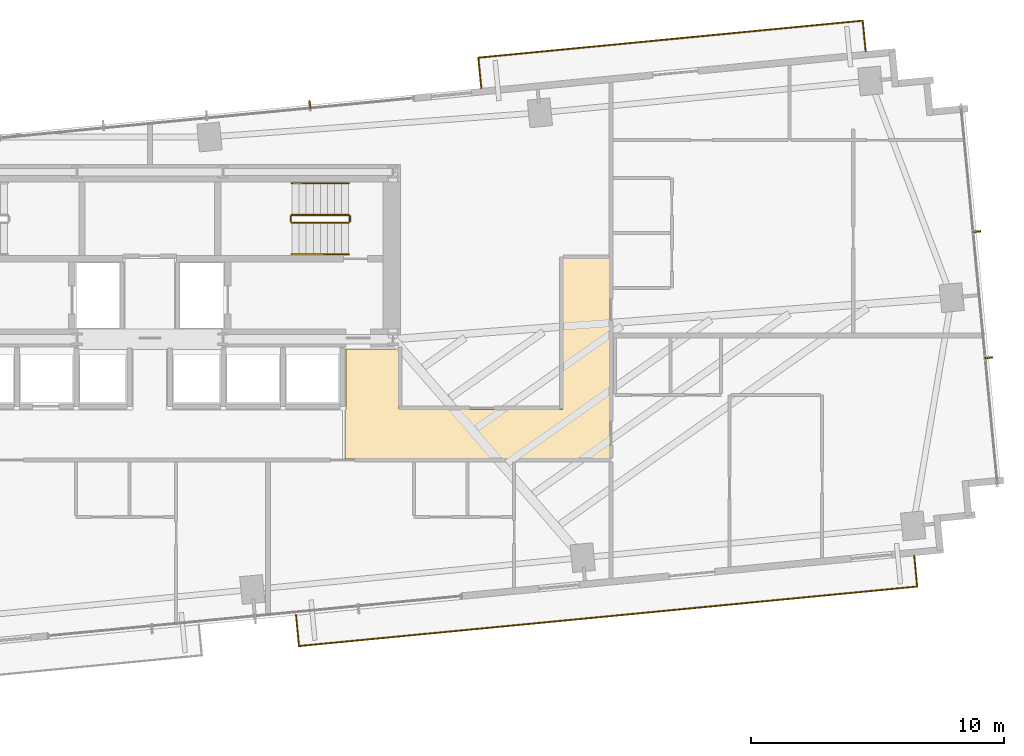
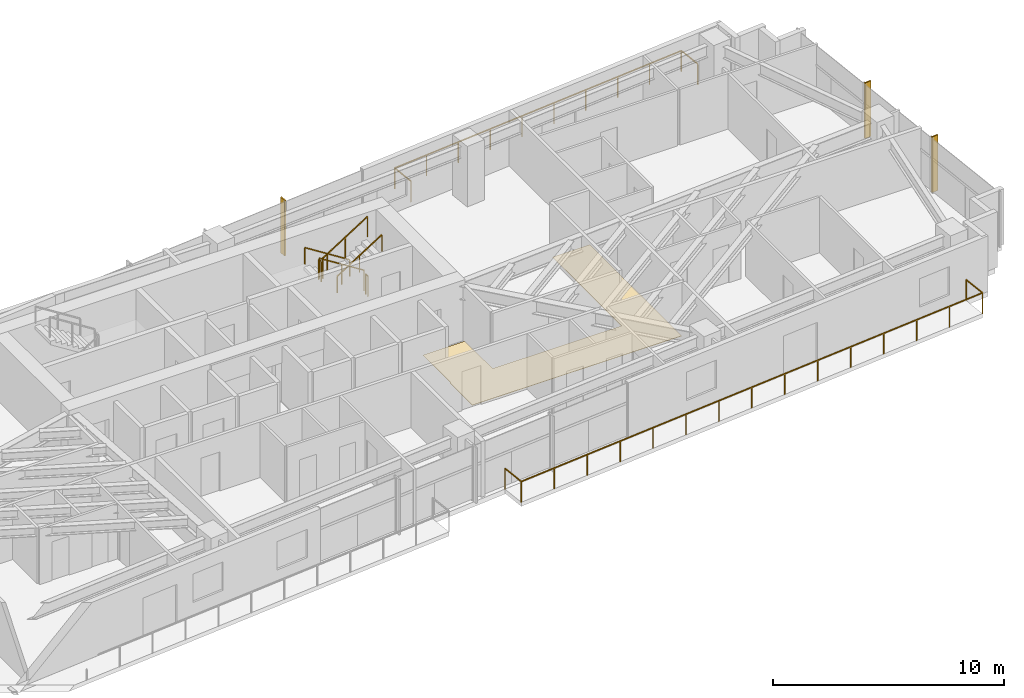
# One storey, part 27 of 27: 8 railings, 3 shading devices, 1 covering.
"""IFC4 building model written with IfcOpenShell, lengths in metres."""

import ifcopenshell
import ifcopenshell.guid

model = None  # the IFC model being written
_history = None  # IfcOwnerHistory: only IFC2X3 demands one
_inside = {}  # id of a spatial element -> (the spatial element, [elements in it])
_under = {}  # id of a project, library or spatial element -> (it, [spatial elements below it])
_declared = {}  # id of a project -> (the project, [libraries it declares])
_typed = {}  # id of a type object -> (the type object, [elements of that type])
_made_of = {}  # id of a material, layer set ... -> (it, [elements and type objects made of it])


def new_model(schema):
    """Start an empty IFC model of exactly this schema.

    Asked for "IFC4X3", IfcOpenShell would pick the latest addendum, in which some entities
    have other attributes; the version numbers below select the first issue.
    IFC2X3 requires an IfcOwnerHistory on every rooted entity: one is made here for all.
    """
    global model, _history
    if schema == "IFC4X3":
        model = ifcopenshell.file(schema_version=(4, 3, 0, 0))
    else:
        model = ifcopenshell.file(schema=schema)
    _inside.clear()
    _under.clear()
    _declared.clear()
    _typed.clear()
    _made_of.clear()
    _history = None
    if model.schema == "IFC2X3":
        org = make("IfcOrganization", Name="unknown")
        user = make(
            "IfcPersonAndOrganization",
            ThePerson=make("IfcPerson", FamilyName="unknown"),
            TheOrganization=org,
        )
        app = make(
            "IfcApplication",
            ApplicationDeveloper=org,
            Version="unknown",
            ApplicationFullName="unknown",
            ApplicationIdentifier="unknown",
        )
        _history = make(
            "IfcOwnerHistory",
            OwningUser=user,
            OwningApplication=app,
            ChangeAction="ADDED",
            CreationDate=0,
        )
    return model


def make(cls, **values):
    """One entity of the class cls with the attributes given. An attribute that is None is left unset."""
    return model.create_entity(
        cls, **{name: value for name, value in values.items() if value is not None}
    )


def rooted(cls, **values):
    """An entity with a GlobalId (a new one), such as an element, a storey or a relation."""
    return make(cls, GlobalId=ifcopenshell.guid.new(), OwnerHistory=_history, **values)


def si_unit(unit_type, name, prefix=None):
    """IfcSIUnit, for example si_unit("LENGTHUNIT", "METRE", prefix="MILLI")."""
    return make("IfcSIUnit", UnitType=unit_type, Prefix=prefix, Name=name)


def assignment(units):
    """IfcUnitAssignment: the units of a project."""
    return None if units is None else make("IfcUnitAssignment", Units=units)


def point(xyz):
    """IfcCartesianPoint."""
    return None if xyz is None else make("IfcCartesianPoint", Coordinates=xyz)


def direction(xyz):
    """IfcDirection."""
    return None if xyz is None else make("IfcDirection", DirectionRatios=xyz)


def frame(location, z_axis=None, x_axis=None):
    """IfcAxis2Placement3D, a coordinate frame: its origin and axes. An axis left out is left unset."""
    return make(
        "IfcAxis2Placement3D",
        Location=point(location),
        Axis=direction(z_axis),
        RefDirection=direction(x_axis),
    )


def frame_2d(location, x_axis=None):
    """IfcAxis2Placement2D, a coordinate frame in the plane: its origin and x axis."""
    return make(
        "IfcAxis2Placement2D", Location=point(location), RefDirection=direction(x_axis)
    )


def origin():
    """The frame at (0, 0, 0) with its axes left unset."""
    return frame((0.0, 0.0, 0.0))


def origin_2d():
    """The frame at (0, 0) in the plane with its x axis left unset."""
    return frame_2d((0.0, 0.0))


def place(relative_to, where):
    """IfcLocalPlacement: puts the frame where relative to a parent placement (None: the world)."""
    return make(
        "IfcLocalPlacement", PlacementRelTo=relative_to, RelativePlacement=where
    )


def context(
    kind, dimensions, precision=None, world=None, true_north=None, identifier=None
):
    """IfcGeometricRepresentationContext, for example the 3D "Model" context."""
    return make(
        "IfcGeometricRepresentationContext",
        ContextIdentifier=identifier,
        ContextType=kind,
        CoordinateSpaceDimension=dimensions,
        Precision=precision,
        WorldCoordinateSystem=world,
        TrueNorth=true_north,
    )


def subcontext(parent, identifier, kind, view, scale=None):
    """IfcGeometricRepresentationSubContext, for example "Body" below "Model"."""
    return make(
        "IfcGeometricRepresentationSubContext",
        ContextIdentifier=identifier,
        ContextType=kind,
        ParentContext=parent,
        TargetScale=scale,
        TargetView=view,
    )


def project(units=None, contexts=None):
    """IfcProject with its units and contexts."""
    return rooted(
        "IfcProject",
        Name="project",
        RepresentationContexts=contexts,
        UnitsInContext=assignment(units),
    )


def spatial(cls, under=None, at=None, **own):
    """A site, building, storey or space (cls), placed at a placement, below another one or the project."""
    s = rooted(cls, ObjectPlacement=at, **own)
    if under is not None:
        _under.setdefault(under.id(), (under, []))[1].append(s)
    return s


def polyline(points):
    """IfcPolyline through the points."""
    return make("IfcPolyline", Points=[point(p) for p in points])


def profile(cls, at=None, kind="AREA", **sizes):
    """A parametric profile (cls). Its sizes go by their IFC names, for example OverallWidth=200.0."""
    return make(cls, ProfileType=kind, Position=at, **sizes)


def rectangle(**sizes):
    """IfcRectangleProfileDef."""
    return profile("IfcRectangleProfileDef", **sizes)


def outline(outer, holes=None, kind="AREA"):
    """IfcArbitraryClosedProfileDef: a profile drawn as a closed curve; with holes, ...WithVoids."""
    if holes is None:
        return make("IfcArbitraryClosedProfileDef", ProfileType=kind, OuterCurve=outer)
    return make(
        "IfcArbitraryProfileDefWithVoids",
        ProfileType=kind,
        OuterCurve=outer,
        InnerCurves=holes,
    )


def extrude(swept, where, along, depth):
    """IfcExtrudedAreaSolid: the profile swept, set in the frame where, extruded along a direction by depth."""
    return make(
        "IfcExtrudedAreaSolid",
        SweptArea=swept,
        Position=where,
        ExtrudedDirection=direction(along),
        Depth=depth,
    )


def shape(context_of_items, identifier, shape_type, items):
    """IfcShapeRepresentation: the items that make up one representation, for example the "Body"."""
    return make(
        "IfcShapeRepresentation",
        ContextOfItems=context_of_items,
        RepresentationIdentifier=identifier,
        RepresentationType=shape_type,
        Items=items,
    )


def source(mapping_origin, context_of_items, identifier, shape_type, items):
    """IfcRepresentationMap: a shape defined once, which mapped items show again and again."""
    return make(
        "IfcRepresentationMap",
        MappingOrigin=mapping_origin,
        MappedRepresentation=shape(context_of_items, identifier, shape_type, items),
    )


def transform(
    local_origin,
    x_axis=None,
    y_axis=None,
    z_axis=None,
    scale=None,
    scale2=None,
    scale3=None,
    uniform=True,
):
    """IfcCartesianTransformationOperator3D, or its non-uniform kind. x_axis, y_axis, z_axis: its Axis1, 2, 3."""
    if uniform:
        return make(
            "IfcCartesianTransformationOperator3D",
            Axis1=direction(x_axis),
            Axis2=direction(y_axis),
            LocalOrigin=point(local_origin),
            Scale=scale,
            Axis3=direction(z_axis),
        )
    return make(
        "IfcCartesianTransformationOperator3DnonUniform",
        Axis1=direction(x_axis),
        Axis2=direction(y_axis),
        LocalOrigin=point(local_origin),
        Scale=scale,
        Axis3=direction(z_axis),
        Scale2=scale2,
        Scale3=scale3,
    )


def mapped(mapping_source, mapping_target):
    """IfcMappedItem: shows the shape of a source again, moved by a transform."""
    return make(
        "IfcMappedItem", MappingSource=mapping_source, MappingTarget=mapping_target
    )


def material(Name=None, Category=None):
    """IfcMaterial."""
    return make("IfcMaterial", Name=Name, Category=Category)


def layer(
    of_material, thickness, ventilated=None, Name=None, Category=None, Priority=None
):
    """IfcMaterialLayer: one layer of a wall or slab, of a material (None: an air gap)."""
    return make(
        "IfcMaterialLayer",
        Material=of_material,
        LayerThickness=thickness,
        IsVentilated=ventilated,
        Name=Name,
        Category=Category,
        Priority=Priority,
    )


def layer_set(layers, Name=None):
    """IfcMaterialLayerSet."""
    return make("IfcMaterialLayerSet", MaterialLayers=layers, LayerSetName=Name)


def made_of(thing, what):
    """Note that an element or type object is made of a material, layer set ...; save() writes the relation."""
    if what is not None:
        _made_of.setdefault(what.id(), (what, []))[1].append(thing)
    return thing


def type_object(cls, material=None, **own):
    """A type object (cls), such as IfcWallType, which elements share."""
    return made_of(rooted(cls, **own), material)


def type_shapes(of_type, sources):
    """Give a type object the sources (RepresentationMaps) that its elements show as mapped items."""
    of_type.RepresentationMaps = sources


def element(
    cls,
    number,
    at=None,
    inside=None,
    cuts=None,
    type_object=None,
    material=None,
    context=None,
    identifier="Body",
    shape_type=None,
    held_by="IfcProductDefinitionShape",
    body=None,
    shapes=None,
    **own,
):
    """One element of the class cls, such as IfcWall. Its Tag is "e" and its number.

    at: its placement. inside: the storey or other place that contains it. cuts: it is an
    opening in that element (IfcRelVoidsElement). A single representation is given by context,
    identifier, shape_type and body (its items); several are given by shapes. held_by: the class
    of the entity that holds the representations. save() writes the other relations.
    """
    e = rooted(cls, Tag="e%d" % number, ObjectPlacement=at, **own)
    if body is not None:
        shapes = [shape(context, identifier, shape_type, body)]
    if shapes is not None:
        e.Representation = make(held_by, Representations=shapes)
    if inside is not None:
        _inside.setdefault(inside.id(), (inside, []))[1].append(e)
    if cuts is not None:
        rooted(
            "IfcRelVoidsElement", RelatingBuildingElement=cuts, RelatedOpeningElement=e
        )
    if type_object is not None:
        _typed.setdefault(type_object.id(), (type_object, []))[1].append(e)
    return made_of(e, material)


def aggregate(whole, parts):
    """IfcRelAggregates: a whole, such as a stair, and the parts it consists of."""
    return rooted("IfcRelAggregates", RelatingObject=whole, RelatedObjects=parts)


def save(model, path):
    """Write the relations noted so far, then the file.

    IfcRelAggregates (storeys below a building ...), IfcRelContainedInSpatialStructure (elements
    in a storey), IfcRelDefinesByType, IfcRelAssociatesMaterial and IfcRelDeclares: one each for
    every whole, place, type object, material and project.
    """
    for whole, parts in _under.values():
        aggregate(whole, parts)
    for where, things in _inside.values():
        rooted(
            "IfcRelContainedInSpatialStructure",
            RelatedElements=things,
            RelatingStructure=where,
        )
    for kind, things in _typed.values():
        rooted("IfcRelDefinesByType", RelatedObjects=things, RelatingType=kind)
    for what, things in _made_of.values():
        rooted("IfcRelAssociatesMaterial", RelatedObjects=things, RelatingMaterial=what)
    for by, libraries in _declared.values():
        rooted("IfcRelDeclares", RelatingContext=by, RelatedDefinitions=libraries)
    model.write(path)


model = new_model("IFC4")

# Units and contexts
model_context = context("Model", 3, precision=1e-05, world=origin(), true_north=direction((0.0, 1.0)))
body_context = subcontext(model_context, "Body", "Model", "MODEL_VIEW")
ifc_project = project(units=[si_unit("LENGTHUNIT", "METRE"), si_unit("AREAUNIT", "SQUARE_METRE"), si_unit("VOLUMEUNIT", "CUBIC_METRE"), si_unit("PLANEANGLEUNIT", "RADIAN"), si_unit("MASSUNIT", "GRAM", prefix="KILO")], contexts=[model_context])

# Site, building, storey
site_placement = place(None, origin())
site = spatial("IfcSite", under=ifc_project, at=site_placement, CompositionType="ELEMENT")
building_placement = place(site_placement, origin())
building = spatial("IfcBuilding", under=site, at=building_placement, Name="Astriad Promenade Condominiums", CompositionType="ELEMENT")
storey_placement = place(building_placement, frame((0.0, 0.0, 93.800048828125)))
storey = spatial("IfcBuildingStorey", under=building, at=storey_placement, Name="L26", CompositionType="ELEMENT", Elevation=93.800048828125)

# Covering
ifc_material_1 = material(Name="Polished Lakefront Terrazzo Flooring")
ifc_layer = layer(ifc_material_1, 0.02001953125)
ifc_layer_set = layer_set([ifc_layer], Name="Polished Lakefront Terrazzo Flooring")
covering_type = type_object("IfcCoveringType", Name="COV-FLOR-TERRAZZO-20", PredefinedType="FLOORING", material=ifc_layer_set)
covering_placement = place(storey_placement, origin())
element("IfcCovering", 1, at=covering_placement, inside=storey, type_object=covering_type, Name="FLR-L26-COR-1", PredefinedType="FLOORING", context=body_context, shape_type="SweptSolid", body=[
    extrude(outline(polyline([(43.699951171875, 12.669921875), (43.699951171875, 14.610107421875), (43.703857421875, 14.610107421875), (43.707763671875, 14.61083984375), (43.711669921875, 14.61181640625), (43.71533203125, 14.613037109375), (43.718994140625, 14.61474609375), (43.72216796875, 14.61669921875), (43.725341796875, 14.619140625), (43.728271484375, 14.62158203125), (43.73095703125, 14.62451171875), (43.7333984375, 14.627685546875), (43.7353515625, 14.631103515625), (43.737060546875, 14.634765625), (43.73828125, 14.638427734375), (43.7392578125, 14.64208984375), (43.73974609375, 14.64599609375), (43.739990234375, 14.64990234375), (43.739990234375, 17.010009765625), (45.840087890625, 17.010009765625), (45.840087890625, 14.659912109375), (45.840087890625, 14.656005859375), (45.8408203125, 14.652099609375), (45.841796875, 14.6484375), (45.843017578125, 14.644775390625), (45.8447265625, 14.64111328125), (45.8466796875, 14.6376953125), (45.84912109375, 14.634521484375), (45.851806640625, 14.631591796875), (45.8544921875, 14.629150390625), (45.85791015625, 14.626708984375), (45.861083984375, 14.624755859375), (45.86474609375, 14.623046875), (45.868408203125, 14.62158203125), (45.872314453125, 14.620849609375), (45.876220703125, 14.6201171875), (45.8798828125, 14.6201171875), (52.25, 14.6201171875), (52.25390625, 14.6201171875), (52.2578125, 14.620849609375), (52.26171875, 14.62158203125), (52.265380859375, 14.623046875), (52.268798828125, 14.624755859375), (52.272216796875, 14.626708984375), (52.275390625, 14.629150390625), (52.2783203125, 14.631591796875), (52.281005859375, 14.634521484375), (52.283203125, 14.6376953125), (52.285400390625, 14.64111328125), (52.287109375, 14.644775390625), (52.288330078125, 14.6484375), (52.289306640625, 14.652099609375), (52.289794921875, 14.656005859375), (52.2900390625, 14.659912109375), (52.2900390625, 20.610107421875), (54.159912109375, 20.610107421875), (54.159912109375, 12.669921875), (43.699951171875, 12.669921875)])), origin(), (0.0, 0.0, 1.0), 0.02001953125),
])

# Shading devices
ifc_material_2 = material(Name="Anodised aluminium 6063-T6 Black Fin", Category="aluminium")
shading_device_type = type_object("IfcShadingDeviceType", Name="FIN-BLACK-320", PredefinedType="USERDEFINED", material=ifc_material_2)
shared_shape_1 = source(origin(), body_context, "Body", "SweptSolid", [
    extrude(rectangle(XDim=0.06494140625, YDim=0.320068359375, at=origin_2d()), origin(), (0.0, 0.0, 1.0), 2.93994140625),
])
type_shapes(shading_device_type, [shared_shape_1])
for number, where, z_axis, x_axis, name in (
    (2, (42.31689453125, 26.656494140625, 0.0), (0.0, 0.0, 1.0), (0.995396198367, 0.09584575252, 0.0), "CW-L26-N-FIN-03"),
    (3, (68.63330078125, 21.6455078125, 0.0), (0.0, 0.0, 1.0), (0.09584575252, -0.995396198367, 0.0), "CW-L26-E-FIN-01"),
    (4, (69.1123046875, 16.668701171875, 0.0), (0.0, 0.0, 1.0), (0.09584575252, -0.995396198367, 0.0), "CW-L26-E-FIN-02"),
):
    element("IfcShadingDevice", number, at=place(storey_placement, frame(where, z_axis=z_axis, x_axis=x_axis)), inside=storey, type_object=shading_device_type, Name=name, ObjectType="FIN", PredefinedType="USERDEFINED", context=body_context, shape_type="MappedRepresentation", body=[
        mapped(shared_shape_1, transform((0.0, 0.0, 0.0), scale=1.0)),
    ])

# Railings
ifc_material_3 = material(Name="Laminated Glass and Stainless Steel Balustrade", Category="steel")
railing_type_1 = type_object("IfcRailingType", Name="GRD-BALC-1120", PredefinedType="BALUSTRADE", material=ifc_material_3)
shared_shape_2 = source(origin(), body_context, "Body", "SweptSolid", [
    extrude(rectangle(XDim=0.048095703125, YDim=0.048095703125, at=origin_2d()), frame((0.0, 0.0, 1.09619140625), z_axis=(0.0958382164, -0.995396923984, 0.0), x_axis=(0.995396923984, 0.0958382164, 0.0)), (0.0, 0.0, 1.0), 1.22021484375),
    extrude(rectangle(XDim=0.048095703125, YDim=0.048095703125, at=origin_2d()), frame((0.116943359375, -1.214599609375, 1.09619140625), z_axis=(0.995395425563, 0.095853778062, 0.0), x_axis=(-0.095853778062, 0.995395425563, 0.0)), (0.0, 0.0, 1.0), 24.514892578125),
    extrude(rectangle(XDim=0.048095703125, YDim=0.048095703125, at=origin_2d()), frame((24.51904296875, 1.13525390625, 1.09619140625), z_axis=(-0.095857307208, 0.99539508571, 0.0), x_axis=(-0.99539508571, -0.095857307208, 0.0)), (0.0, 0.0, 1.0), 1.219970703125),
    extrude(rectangle(XDim=0.0419921875, YDim=0.0419921875, at=origin_2d()), origin(), (0.0, 0.0, 1.0), 1.072021484375),
    extrude(rectangle(XDim=0.0419921875, YDim=0.0419921875, at=origin_2d()), frame((0.116943359375, -1.214599609375, 0.0)), (0.0, 0.0, 1.0), 1.072021484375),
    extrude(rectangle(XDim=0.0419921875, YDim=0.0419921875, at=origin_2d()), frame((1.85986328125, -1.046875, 0.0)), (0.0, 0.0, 1.0), 1.072021484375),
    extrude(rectangle(XDim=0.0419921875, YDim=0.0419921875, at=origin_2d()), frame((3.60302734375, -0.87890625, 0.0)), (0.0, 0.0, 1.0), 1.072021484375),
    extrude(rectangle(XDim=0.0419921875, YDim=0.0419921875, at=origin_2d()), frame((5.345947265625, -0.7109375, 0.0)), (0.0, 0.0, 1.0), 1.072021484375),
    extrude(rectangle(XDim=0.0419921875, YDim=0.0419921875, at=origin_2d()), frame((7.0888671875, -0.543212890625, 0.0)), (0.0, 0.0, 1.0), 1.072021484375),
    extrude(rectangle(XDim=0.0419921875, YDim=0.0419921875, at=origin_2d()), frame((8.83203125, -0.37548828125, 0.0)), (0.0, 0.0, 1.0), 1.072021484375),
    extrude(rectangle(XDim=0.0419921875, YDim=0.0419921875, at=origin_2d()), frame((10.574951171875, -0.20751953125, 0.0)), (0.0, 0.0, 1.0), 1.072021484375),
    extrude(rectangle(XDim=0.0419921875, YDim=0.0419921875, at=origin_2d()), frame((12.31787109375, -0.03955078125, 0.0)), (0.0, 0.0, 1.0), 1.072021484375),
    extrude(rectangle(XDim=0.0419921875, YDim=0.0419921875, at=origin_2d()), frame((14.06103515625, 0.128173828125, 0.0)), (0.0, 0.0, 1.0), 1.072021484375),
    extrude(rectangle(XDim=0.0419921875, YDim=0.0419921875, at=origin_2d()), frame((15.803955078125, 0.296142578125, 0.0)), (0.0, 0.0, 1.0), 1.072021484375),
    extrude(rectangle(XDim=0.0419921875, YDim=0.0419921875, at=origin_2d()), frame((17.547119140625, 0.4638671875, 0.0)), (0.0, 0.0, 1.0), 1.072021484375),
    extrude(rectangle(XDim=0.0419921875, YDim=0.0419921875, at=origin_2d()), frame((19.2900390625, 0.6318359375, 0.0)), (0.0, 0.0, 1.0), 1.072021484375),
    extrude(rectangle(XDim=0.0419921875, YDim=0.0419921875, at=origin_2d()), frame((21.032958984375, 0.799560546875, 0.0)), (0.0, 0.0, 1.0), 1.072021484375),
    extrude(rectangle(XDim=0.0419921875, YDim=0.0419921875, at=origin_2d()), frame((22.776123046875, 0.96728515625, 0.0)), (0.0, 0.0, 1.0), 1.072021484375),
    extrude(rectangle(XDim=0.0419921875, YDim=0.0419921875, at=origin_2d()), frame((24.51904296875, 1.13525390625, 0.0)), (0.0, 0.0, 1.0), 1.072021484375),
    extrude(rectangle(XDim=0.0419921875, YDim=0.0419921875, at=origin_2d()), frame((24.402099609375, 2.349609375, 0.0)), (0.0, 0.0, 1.0), 1.072021484375),
])
railing_1_placement = place(storey_placement, frame((41.76904296875, 6.501220703125, 0.0)))
element("IfcRailing", 5, at=railing_1_placement, inside=storey, type_object=railing_type_1, Name="GRD-BALC-L26-SE", PredefinedType="BALUSTRADE", context=body_context, shape_type="MappedRepresentation", body=[
    mapped(shared_shape_2, transform((0.0, 0.0, 0.0), scale=1.0)),
])
shared_shape_3 = source(origin(), body_context, "Body", "SweptSolid", [
    extrude(rectangle(XDim=0.048095703125, YDim=0.048095703125, at=origin_2d()), frame((0.0, 0.0, 1.09619140625), z_axis=(-0.095857307208, 0.99539508571, 0.0), x_axis=(-0.99539508571, -0.095857307208, 0.0)), (0.0, 0.0, 1.0), 1.219970703125),
    extrude(rectangle(XDim=0.048095703125, YDim=0.048095703125, at=origin_2d()), frame((-0.116943359375, 1.21435546875, 1.09619140625), z_axis=(-0.995396313703, -0.095844554704, 0.0), x_axis=(0.095844554704, -0.995396313703, 0.0)), (0.0, 0.0, 1.0), 15.24267578125),
    extrude(rectangle(XDim=0.048095703125, YDim=0.048095703125, at=origin_2d()), frame((-15.28955078125, -0.24658203125, 1.09619140625), z_axis=(0.095639968643, -0.995415991633, 0.0), x_axis=(0.995415991633, 0.095639968643, 0.0)), (0.0, 0.0, 1.0), 1.22021484375),
    extrude(rectangle(XDim=0.0419921875, YDim=0.0419921875, at=origin_2d()), origin(), (0.0, 0.0, 1.0), 1.072021484375),
    extrude(rectangle(XDim=0.0419921875, YDim=0.0419921875, at=origin_2d()), frame((-0.116943359375, 1.21435546875, 0.0)), (0.0, 0.0, 1.0), 1.072021484375),
    extrude(rectangle(XDim=0.0419921875, YDim=0.0419921875, at=origin_2d()), frame((-1.802734375, 1.052001953125, 0.0)), (0.0, 0.0, 1.0), 1.072021484375),
    extrude(rectangle(XDim=0.0419921875, YDim=0.0419921875, at=origin_2d()), frame((-3.488525390625, 0.8896484375, 0.0)), (0.0, 0.0, 1.0), 1.072021484375),
    extrude(rectangle(XDim=0.0419921875, YDim=0.0419921875, at=origin_2d()), frame((-5.174560546875, 0.727294921875, 0.0)), (0.0, 0.0, 1.0), 1.072021484375),
    extrude(rectangle(XDim=0.0419921875, YDim=0.0419921875, at=origin_2d()), frame((-6.8603515625, 0.56494140625, 0.0)), (0.0, 0.0, 1.0), 1.072021484375),
    extrude(rectangle(XDim=0.0419921875, YDim=0.0419921875, at=origin_2d()), frame((-8.546142578125, 0.40283203125, 0.0)), (0.0, 0.0, 1.0), 1.072021484375),
    extrude(rectangle(XDim=0.0419921875, YDim=0.0419921875, at=origin_2d()), frame((-10.23193359375, 0.240478515625, 0.0)), (0.0, 0.0, 1.0), 1.072021484375),
    extrude(rectangle(XDim=0.0419921875, YDim=0.0419921875, at=origin_2d()), frame((-11.91796875, 0.078125, 0.0)), (0.0, 0.0, 1.0), 1.072021484375),
    extrude(rectangle(XDim=0.0419921875, YDim=0.0419921875, at=origin_2d()), frame((-13.603759765625, -0.084228515625, 0.0)), (0.0, 0.0, 1.0), 1.072021484375),
    extrude(rectangle(XDim=0.0419921875, YDim=0.0419921875, at=origin_2d()), frame((-15.28955078125, -0.24658203125, 0.0)), (0.0, 0.0, 1.0), 1.072021484375),
    extrude(rectangle(XDim=0.0419921875, YDim=0.0419921875, at=origin_2d()), frame((-15.1728515625, -1.461181640625, 0.0)), (0.0, 0.0, 1.0), 1.072021484375),
])
type_shapes(railing_type_1, [shared_shape_2, shared_shape_3])
railing_2_placement = place(storey_placement, frame((64.254150390625, 28.7587890625, 0.0)))
element("IfcRailing", 6, at=railing_2_placement, inside=storey, type_object=railing_type_1, Name="GRD-BALC-L26-NE", PredefinedType="BALUSTRADE", context=body_context, shape_type="MappedRepresentation", body=[
    mapped(shared_shape_3, transform((0.0, 0.0, 0.0), scale=1.0)),
])
ifc_material_4 = material(Name="Painted Galvanised Steel Guardrail", Category="steel")
railing_type_2 = type_object("IfcRailingType", Name="GRD-STAIR-1100", PredefinedType="GUARDRAIL", material=ifc_material_4)
shared_shape_4 = source(origin(), body_context, "Body", "SweptSolid", [
    extrude(rectangle(XDim=0.048095703125, YDim=0.048095703125, at=origin_2d()), frame((0.0, 0.0, 1.076171875), z_axis=(-0.8442293374, 0.0, 0.53598211339), x_axis=(0.0, -1.0, 0.0)), (0.0, 0.0, 1.0), 2.6533203125),
    extrude(rectangle(XDim=0.0419921875, YDim=0.0419921875, at=origin_2d()), origin(), (0.0, 0.0, 1.0), 1.052001953125),
    extrude(rectangle(XDim=0.0419921875, YDim=0.0419921875, at=origin_2d()), frame((-1.1201171875, 0.0, 0.7109375)), (0.0, 0.0, 1.0), 1.052001953125),
    extrude(rectangle(XDim=0.0419921875, YDim=0.0419921875, at=origin_2d()), frame((-2.239990234375, 0.0, 1.422119140625)), (0.0, 0.0, 1.0), 1.052001953125),
])
railing_3_placement = place(storey_placement, frame((43.85009765625, 22.300048828125, 0.177734375)))
element("IfcRailing", 7, at=railing_3_placement, inside=storey, type_object=railing_type_2, Name="L26 ST-2 stair guard 1", PredefinedType="GUARDRAIL", context=body_context, shape_type="MappedRepresentation", body=[
    mapped(shared_shape_4, transform((0.0, 0.0, 0.0), scale=1.0)),
])
ifc_material_5 = material(Name="Brushed Stainless Steel Handrail", Category="steel")
railing_type_3 = type_object("IfcRailingType", Name="HRL-STAIR-920", PredefinedType="HANDRAIL", material=ifc_material_5)
shared_shape_5 = source(origin(), body_context, "Body", "SweptSolid", [
    extrude(rectangle(XDim=0.048095703125, YDim=0.048095703125, at=origin_2d()), frame((0.0, 0.0, 0.8759765625), z_axis=(-0.8442293374, 0.0, 0.53598211339), x_axis=(0.0, -1.0, 0.0)), (0.0, 0.0, 1.0), 2.6533203125),
    extrude(rectangle(XDim=0.0419921875, YDim=0.0419921875, at=origin_2d()), origin(), (0.0, 0.0, 1.0), 0.851806640625),
    extrude(rectangle(XDim=0.0419921875, YDim=0.0419921875, at=origin_2d()), frame((-1.1201171875, 0.0, 0.7109375)), (0.0, 0.0, 1.0), 0.851806640625),
    extrude(rectangle(XDim=0.0419921875, YDim=0.0419921875, at=origin_2d()), frame((-2.239990234375, 0.0, 1.422119140625)), (0.0, 0.0, 1.0), 0.851806640625),
])
railing_4_placement = place(storey_placement, frame((43.85009765625, 23.550048828125, 0.177734375)))
element("IfcRailing", 8, at=railing_4_placement, inside=storey, type_object=railing_type_3, Name="L26 ST-2 stair handrail 1", PredefinedType="HANDRAIL", context=body_context, shape_type="MappedRepresentation", body=[
    mapped(shared_shape_5, transform((0.0, 0.0, 0.0), scale=1.0)),
])
shared_shape_6 = source(origin(), body_context, "Body", "SweptSolid", [
    extrude(rectangle(XDim=0.048095703125, YDim=0.048095703125, at=origin_2d()), frame((0.0, 0.0, 1.076171875), z_axis=(0.8442293374, 0.0, 0.53598211339), x_axis=(0.0, 1.0, 0.0)), (0.0, 0.0, 1.0), 2.6533203125),
    extrude(rectangle(XDim=0.0419921875, YDim=0.0419921875, at=origin_2d()), origin(), (0.0, 0.0, 1.0), 1.052001953125),
    extrude(rectangle(XDim=0.0419921875, YDim=0.0419921875, at=origin_2d()), frame((1.1201171875, 0.0, 0.7109375)), (0.0, 0.0, 1.0), 1.052001953125),
    extrude(rectangle(XDim=0.0419921875, YDim=0.0419921875, at=origin_2d()), frame((2.239990234375, 0.0, 1.422119140625)), (0.0, 0.0, 1.0), 1.052001953125),
])
railing_5_placement = place(storey_placement, frame((41.610107421875, 22.0, 1.77783203125)))
element("IfcRailing", 9, at=railing_5_placement, inside=storey, type_object=railing_type_2, Name="L26 ST-2 stair guard 3", PredefinedType="GUARDRAIL", context=body_context, shape_type="MappedRepresentation", body=[
    mapped(shared_shape_6, transform((0.0, 0.0, 0.0), scale=1.0)),
])
shared_shape_7 = source(origin(), body_context, "Body", "SweptSolid", [
    extrude(rectangle(XDim=0.048095703125, YDim=0.048095703125, at=origin_2d()), frame((0.0, 0.0, 0.8759765625), z_axis=(0.8442293374, 0.0, 0.53598211339), x_axis=(0.0, 1.0, 0.0)), (0.0, 0.0, 1.0), 2.6533203125),
    extrude(rectangle(XDim=0.0419921875, YDim=0.0419921875, at=origin_2d()), origin(), (0.0, 0.0, 1.0), 0.851806640625),
    extrude(rectangle(XDim=0.0419921875, YDim=0.0419921875, at=origin_2d()), frame((1.1201171875, 0.0, 0.7109375)), (0.0, 0.0, 1.0), 0.851806640625),
    extrude(rectangle(XDim=0.0419921875, YDim=0.0419921875, at=origin_2d()), frame((2.239990234375, 0.0, 1.422119140625)), (0.0, 0.0, 1.0), 0.851806640625),
])
type_shapes(railing_type_3, [shared_shape_5, shared_shape_7])
railing_6_placement = place(storey_placement, frame((41.610107421875, 20.75, 1.77783203125)))
element("IfcRailing", 10, at=railing_6_placement, inside=storey, type_object=railing_type_3, Name="L26 ST-2 stair handrail 2", PredefinedType="HANDRAIL", context=body_context, shape_type="MappedRepresentation", body=[
    mapped(shared_shape_7, transform((0.0, 0.0, 0.0), scale=1.0)),
])
shared_shape_8 = source(origin(), body_context, "Body", "SweptSolid", [
    extrude(rectangle(XDim=0.048095703125, YDim=0.048095703125, at=origin_2d()), frame((0.0, 0.0, 1.076171875), z_axis=(0.0, -1.0, 0.0), x_axis=(1.0, 0.0, 0.0)), (0.0, 0.0, 1.0), 0.199951171875),
    extrude(rectangle(XDim=0.0419921875, YDim=0.0419921875, at=origin_2d()), origin(), (0.0, 0.0, 1.0), 1.052001953125),
    extrude(rectangle(XDim=0.0419921875, YDim=0.0419921875, at=origin_2d()), frame((0.0, -0.199951171875, 0.0)), (0.0, 0.0, 1.0), 1.052001953125),
])
type_shapes(railing_type_2, [shared_shape_4, shared_shape_6, shared_shape_8])
for number, where, name in (
    (11, (41.56005859375, 22.25, 1.599853515625), "L26 ST-2 stair guard 2"),
    (12, (43.89990234375, 22.25, 0.0), "L26 ST-2 stair guard 4"),
):
    element("IfcRailing", number, at=place(storey_placement, frame(where)), inside=storey, type_object=railing_type_2, Name=name, PredefinedType="GUARDRAIL", context=body_context, shape_type="MappedRepresentation", body=[
        mapped(shared_shape_8, transform((0.0, 0.0, 0.0), scale=1.0)),
    ])

save(model, "model.ifc")
